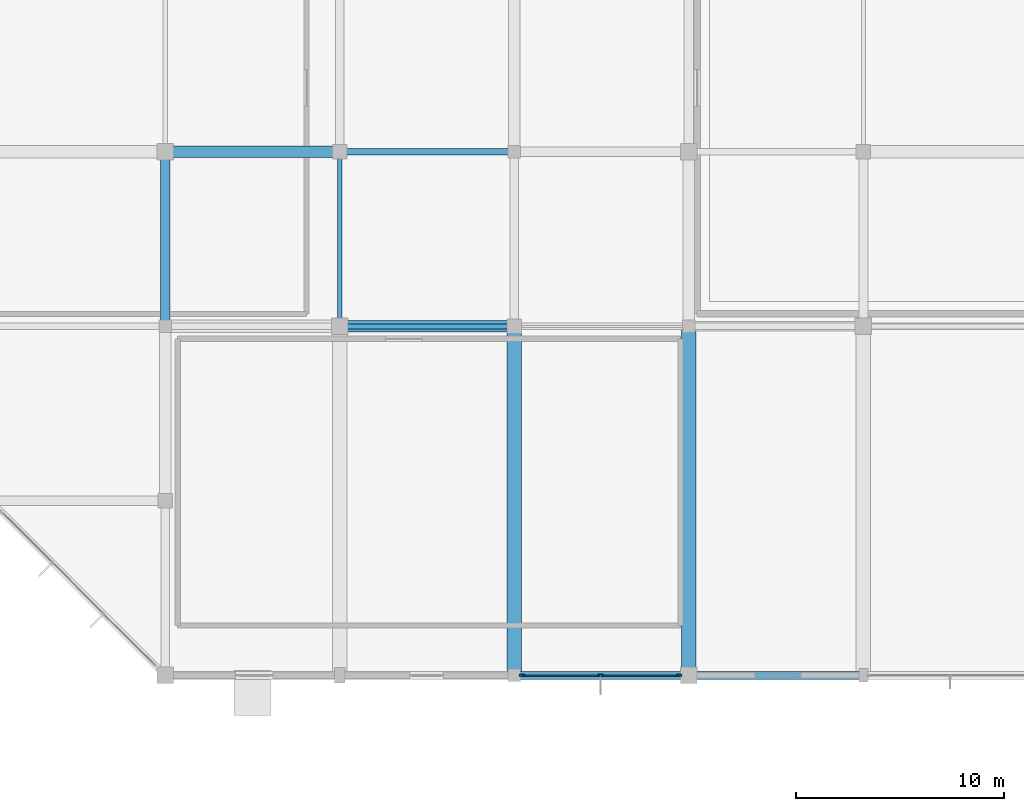
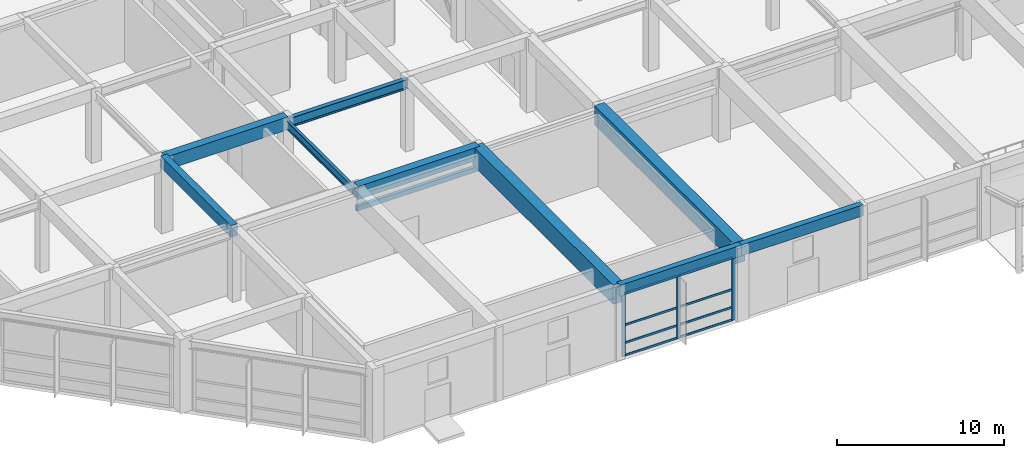
# One storey, part 10 of 62: 11 members, 10 beams, 1 element without a shape of its own.
"""IFC4 building model written with IfcOpenShell, lengths in metres."""

from ifc_helpers import new_model, si_unit, direction, frame, origin, origin_2d, place, context, subcontext, project, spatial, rectangle, i_section, extrude, material, material_profile, profile_set, type_object, element, aggregate, save


model = new_model("IFC4")

# Units and contexts
model_context = context("Model", 3, precision=1e-05, world=origin(), true_north=direction((0.0, 1.0)))
body_context = subcontext(model_context, "Body", "Model", "MODEL_VIEW")
ifc_project = project(units=[si_unit("LENGTHUNIT", "METRE"), si_unit("AREAUNIT", "SQUARE_METRE"), si_unit("VOLUMEUNIT", "CUBIC_METRE"), si_unit("PLANEANGLEUNIT", "RADIAN"), si_unit("MASSUNIT", "GRAM", prefix="KILO")], contexts=[model_context])

# Site, building, storey
site_placement = place(None, origin())
site = spatial("IfcSite", under=ifc_project, at=site_placement, CompositionType="ELEMENT")
building_placement = place(site_placement, origin())
building = spatial("IfcBuilding", under=site, at=building_placement, Name="Xuanlan Plaza Opera House", CompositionType="ELEMENT")
storey_placement = place(building_placement, origin())
storey = spatial("IfcBuildingStorey", under=building, at=storey_placement, Name="L00", CompositionType="ELEMENT", Elevation=0.0)

# Curtain wall, members
ifc_material_1 = material(Name="Anodised Aluminium 6063-T6 and Low-E Glass", Category="aluminium")
curtain_wall_type = type_object("IfcCurtainWallType", Name="ENV-CW-CW-01", PredefinedType="USERDEFINED", material=ifc_material_1)
curtain_wall_placement = place(storey_placement, origin())
curtain_wall = element("IfcCurtainWall", 1, at=curtain_wall_placement, inside=storey, type_object=curtain_wall_type, Name="Unitised Curtain Wall L00-003", ObjectType="UNITISED CURTAIN WALL", PredefinedType="USERDEFINED")
ifc_material_2 = material(Name="Anodised Aluminium 6063-T6", Category="aluminium")
ifc_material_profile_1 = material_profile(ifc_material_2, rectangle(XDim=0.090087890625, YDim=0.25, at=origin_2d()), Name="ALU-M 90x250")
ifc_profile_set_1 = profile_set([ifc_material_profile_1], Name="Anodised Aluminium 6063-T6")
member_type_1 = type_object("IfcMemberType", Name="ENV-CWM-05", PredefinedType="MULLION", material=ifc_profile_set_1)
member_1_placement = place(storey_placement, frame((33.965087890625, 0.0, 0.0), z_axis=(0.0, 0.0, 1.0), x_axis=(0.0, 1.0, 0.0)))
member_1 = element("IfcMember", 2, at=member_1_placement, type_object=member_type_1, Name="CW-01 mullion 1", PredefinedType="MULLION", context=body_context, shape_type="SweptSolid", body=[
    extrude(rectangle(XDim=0.090087890625, YDim=0.25, at=origin_2d()), origin(), (0.0, 0.0, 1.0), 4.580078125),
])
member_2_placement = place(storey_placement, frame((37.75, 0.0, 0.0), z_axis=(0.0, 0.0, 1.0), x_axis=(0.0, 1.0, 0.0)))
member_2 = element("IfcMember", 3, at=member_2_placement, type_object=member_type_1, Name="CW-01 mullion 2", PredefinedType="MULLION", context=body_context, shape_type="SweptSolid", body=[
    extrude(rectangle(XDim=0.090087890625, YDim=0.25, at=origin_2d()), origin(), (0.0, 0.0, 1.0), 4.580078125),
])
member_3_placement = place(storey_placement, frame((41.534912109375, 0.0, 0.0), z_axis=(0.0, 0.0, 1.0), x_axis=(0.0, 1.0, 0.0)))
member_3 = element("IfcMember", 4, at=member_3_placement, type_object=member_type_1, Name="CW-01 mullion 3", PredefinedType="MULLION", context=body_context, shape_type="SweptSolid", body=[
    extrude(rectangle(XDim=0.090087890625, YDim=0.25, at=origin_2d()), origin(), (0.0, 0.0, 1.0), 4.580078125),
])
ifc_material_profile_2 = material_profile(ifc_material_2, rectangle(XDim=0.074951171875, YDim=0.14990234375, at=origin_2d()), Name="ALU-T 75x150")
ifc_profile_set_2 = profile_set([ifc_material_profile_2], Name="Anodised Aluminium 6063-T6")
member_type_2 = type_object("IfcMemberType", Name="ENV-CWT-03", PredefinedType="USERDEFINED", material=ifc_profile_set_2)
member_4_placement = place(storey_placement, frame((34.010009765625, 0.0, 0.03759765625), z_axis=(1.0, 0.0, 0.0), x_axis=(0.0, 1.0, 0.0)))
member_4 = element("IfcMember", 5, at=member_4_placement, type_object=member_type_2, Name="CW-01 transom 1.1", ObjectType="TRANSOM", PredefinedType="USERDEFINED", context=body_context, shape_type="SweptSolid", body=[
    extrude(rectangle(XDim=0.074951171875, YDim=0.14990234375, at=origin_2d()), origin(), (0.0, 0.0, 1.0), 3.695068359375),
])
member_5_placement = place(storey_placement, frame((34.010009765625, 0.0, 0.949951171875), z_axis=(1.0, 0.0, 0.0), x_axis=(0.0, 1.0, 0.0)))
member_5 = element("IfcMember", 6, at=member_5_placement, type_object=member_type_2, Name="CW-01 transom 1.2", ObjectType="TRANSOM", PredefinedType="USERDEFINED", context=body_context, shape_type="SweptSolid", body=[
    extrude(rectangle(XDim=0.074951171875, YDim=0.14990234375, at=origin_2d()), origin(), (0.0, 0.0, 1.0), 3.695068359375),
])
member_6_placement = place(storey_placement, frame((34.010009765625, 0.0, 2.25), z_axis=(1.0, 0.0, 0.0), x_axis=(0.0, 1.0, 0.0)))
member_6 = element("IfcMember", 7, at=member_6_placement, type_object=member_type_2, Name="CW-01 transom 1.3", ObjectType="TRANSOM", PredefinedType="USERDEFINED", context=body_context, shape_type="SweptSolid", body=[
    extrude(rectangle(XDim=0.074951171875, YDim=0.14990234375, at=origin_2d()), origin(), (0.0, 0.0, 1.0), 3.695068359375),
])
member_7_placement = place(storey_placement, frame((34.010009765625, 0.0, 4.54248046875), z_axis=(1.0, 0.0, 0.0), x_axis=(0.0, 1.0, 0.0)))
member_7 = element("IfcMember", 8, at=member_7_placement, type_object=member_type_2, Name="CW-01 transom 1.4", ObjectType="TRANSOM", PredefinedType="USERDEFINED", context=body_context, shape_type="SweptSolid", body=[
    extrude(rectangle(XDim=0.074951171875, YDim=0.14990234375, at=origin_2d()), origin(), (0.0, 0.0, 1.0), 3.695068359375),
])
member_8_placement = place(storey_placement, frame((37.794921875, 0.0, 0.03759765625), z_axis=(1.0, 0.0, 0.0), x_axis=(0.0, 1.0, 0.0)))
member_8 = element("IfcMember", 9, at=member_8_placement, type_object=member_type_2, Name="CW-01 transom 2.1", ObjectType="TRANSOM", PredefinedType="USERDEFINED", context=body_context, shape_type="SweptSolid", body=[
    extrude(rectangle(XDim=0.074951171875, YDim=0.14990234375, at=origin_2d()), origin(), (0.0, 0.0, 1.0), 3.695068359375),
])
member_9_placement = place(storey_placement, frame((37.794921875, 0.0, 0.949951171875), z_axis=(1.0, 0.0, 0.0), x_axis=(0.0, 1.0, 0.0)))
member_9 = element("IfcMember", 10, at=member_9_placement, type_object=member_type_2, Name="CW-01 transom 2.2", ObjectType="TRANSOM", PredefinedType="USERDEFINED", context=body_context, shape_type="SweptSolid", body=[
    extrude(rectangle(XDim=0.074951171875, YDim=0.14990234375, at=origin_2d()), origin(), (0.0, 0.0, 1.0), 3.695068359375),
])
member_10_placement = place(storey_placement, frame((37.794921875, 0.0, 2.25), z_axis=(1.0, 0.0, 0.0), x_axis=(0.0, 1.0, 0.0)))
member_10 = element("IfcMember", 11, at=member_10_placement, type_object=member_type_2, Name="CW-01 transom 2.3", ObjectType="TRANSOM", PredefinedType="USERDEFINED", context=body_context, shape_type="SweptSolid", body=[
    extrude(rectangle(XDim=0.074951171875, YDim=0.14990234375, at=origin_2d()), origin(), (0.0, 0.0, 1.0), 3.695068359375),
])
member_11_placement = place(storey_placement, frame((37.794921875, 0.0, 4.54248046875), z_axis=(1.0, 0.0, 0.0), x_axis=(0.0, 1.0, 0.0)))
member_11 = element("IfcMember", 12, at=member_11_placement, type_object=member_type_2, Name="CW-01 transom 2.4", ObjectType="TRANSOM", PredefinedType="USERDEFINED", context=body_context, shape_type="SweptSolid", body=[
    extrude(rectangle(XDim=0.074951171875, YDim=0.14990234375, at=origin_2d()), origin(), (0.0, 0.0, 1.0), 3.695068359375),
])
aggregate(curtain_wall, [member_1, member_2, member_3, member_4, member_5, member_6, member_7, member_8, member_9, member_10, member_11])

# Beams
ifc_material_3 = material(Name="Concrete C50", Category="concrete")
ifc_material_profile_3 = material_profile(ifc_material_3, rectangle(XDim=0.550048828125, YDim=0.949951171875, at=origin_2d()), Name="RC-BM 550x950")
ifc_profile_set_3 = profile_set([ifc_material_profile_3], Name="Concrete C50")
beam_type_1 = type_object("IfcBeamType", Name="STR-BM-B-02", PredefinedType="BEAM", material=ifc_profile_set_3)
beam_1_placement = place(storey_placement, frame((25.199951171875, 16.800048828125, 4.925048828125), z_axis=(1.0, 0.0, 0.0), x_axis=(0.0, 1.0, 0.0)))
element("IfcBeam", 13, at=beam_1_placement, inside=storey, type_object=beam_type_1, Name="Grid Beam X L00 4-5/C", PredefinedType="BEAM", context=body_context, shape_type="SweptSolid", body=[
    extrude(rectangle(XDim=0.550048828125, YDim=0.949951171875, at=origin_2d()), origin(), (0.0, 0.0, 1.0), 8.400146484375),
])
beam_2_placement = place(storey_placement, frame((16.800048828125, 25.199951171875, 4.925048828125), z_axis=(1.0, 0.0, 0.0), x_axis=(0.0, 1.0, 0.0)))
element("IfcBeam", 14, at=beam_2_placement, inside=storey, type_object=beam_type_1, Name="Grid Beam X L00 3-4/D", PredefinedType="BEAM", context=body_context, shape_type="SweptSolid", body=[
    extrude(rectangle(XDim=0.550048828125, YDim=0.949951171875, at=origin_2d()), origin(), (0.0, 0.0, 1.0), 8.39990234375),
])
ifc_material_4 = material(Name="Concrete C40", Category="concrete")
ifc_material_profile_4 = material_profile(ifc_material_4, rectangle(XDim=0.449951171875, YDim=0.85009765625, at=origin_2d()), Name="RC-BM 450x850")
ifc_profile_set_4 = profile_set([ifc_material_profile_4], Name="Concrete C40")
beam_type_2 = type_object("IfcBeamType", Name="STR-BM-B-04", PredefinedType="BEAM", material=ifc_profile_set_4)
beam_3_placement = place(storey_placement, frame((16.800048828125, 16.800048828125, 4.97509765625), z_axis=(0.0, 1.0, 0.0), x_axis=(-1.0, 0.0, 0.0)))
element("IfcBeam", 15, at=beam_3_placement, inside=storey, type_object=beam_type_2, Name="Grid Beam Y L00 3/C-D", PredefinedType="BEAM", context=body_context, shape_type="SweptSolid", body=[
    extrude(rectangle(XDim=0.449951171875, YDim=0.85009765625, at=origin_2d()), origin(), (0.0, 0.0, 1.0), 8.39990234375),
])
ifc_material_profile_5 = material_profile(ifc_material_3, rectangle(XDim=0.699951171875, YDim=1.39990234375, at=origin_2d()), Name="RC-LG 700x1400")
ifc_profile_set_5 = profile_set([ifc_material_profile_5], Name="Concrete C50")
beam_type_3 = type_object("IfcBeamType", Name="STR-BM-LG-01", PredefinedType="BEAM", material=ifc_profile_set_5)
for number, where, z_axis, x_axis, name in (
    (16, (33.60009765625, 0.0, 4.699951171875), (0.0, 1.0, 0.0), (-1.0, 0.0, 0.0), "Grid Beam Y L00 5/A-C"),
    (17, (42.0, 0.0, 4.699951171875), (0.0, 1.0, 0.0), (-1.0, 0.0, 0.0), "Grid Beam Y L00 6/A-C"),
):
    element("IfcBeam", number, at=place(storey_placement, frame(where, z_axis=z_axis, x_axis=x_axis)), inside=storey, type_object=beam_type_3, Name=name, PredefinedType="BEAM", context=body_context, shape_type="SweptSolid", body=[
        extrude(rectangle(XDim=0.699951171875, YDim=1.39990234375, at=origin_2d()), origin(), (0.0, 0.0, 1.0), 16.800048828125),
    ])
ifc_material_profile_6 = material_profile(ifc_material_4, rectangle(XDim=0.239990234375, YDim=0.35009765625, at=origin_2d()), Name="RC-LNT 240x350")
ifc_profile_set_6 = profile_set([ifc_material_profile_6], Name="Concrete C40")
beam_type_4 = type_object("IfcBeamType", Name="STR-BM-LN-02", PredefinedType="LINTEL", material=ifc_profile_set_6)
beam_4_placement = place(storey_placement, frame((25.199951171875, 16.800048828125, 3.675048828125), z_axis=(1.0, 0.0, 0.0), x_axis=(0.0, 1.0, 0.0)))
element("IfcBeam", 18, at=beam_4_placement, inside=storey, type_object=beam_type_4, Name="Backstage Portal Lintel Beam L00-03", PredefinedType="LINTEL", context=body_context, shape_type="SweptSolid", body=[
    extrude(rectangle(XDim=0.239990234375, YDim=0.35009765625, at=origin_2d()), origin(), (0.0, 0.0, 1.0), 8.400146484375),
])
ifc_material_5 = material(Name="Steel Q355B", Category="steel")
ifc_material_profile_7 = material_profile(ifc_material_5, i_section(OverallWidth=0.300048828125, OverallDepth=0.699951171875, WebThickness=0.012939453125, FlangeThickness=0.02392578125, FilletRadius=0.02392578125, at=origin_2d()), Name="HN 700x300x13x24")
ifc_profile_set_7 = profile_set([ifc_material_profile_7], Name="Steel Q355B")
beam_type_5 = type_object("IfcBeamType", Name="STR-BM-SB-03", PredefinedType="BEAM", material=ifc_profile_set_7)
beam_5_placement = place(storey_placement, frame((25.199951171875, 25.199951171875, 4.784912109375), z_axis=(1.0, 0.0, 0.0), x_axis=(0.0, 1.0, 0.0)))
element("IfcBeam", 19, at=beam_5_placement, inside=storey, type_object=beam_type_5, Name="Grid Beam X L00 4-5/D", PredefinedType="BEAM", context=body_context, shape_type="SweptSolid", body=[
    extrude(i_section(OverallWidth=0.300048828125, OverallDepth=0.699951171875, WebThickness=0.012939453125, FlangeThickness=0.02392578125, FilletRadius=0.02392578125, at=origin_2d()), origin(), (0.0, 0.0, 1.0), 8.400146484375),
])
ifc_material_profile_8 = material_profile(ifc_material_5, i_section(OverallWidth=0.199951171875, OverallDepth=0.60009765625, WebThickness=0.010986328125, FlangeThickness=0.01708984375, FilletRadius=0.02197265625, at=origin_2d()), Name="HN 600x200x11x17")
ifc_profile_set_8 = profile_set([ifc_material_profile_8], Name="Steel Q355B")
beam_type_6 = type_object("IfcBeamType", Name="STR-BM-SB-04", PredefinedType="BEAM", material=ifc_profile_set_8)
beam_6_placement = place(storey_placement, frame((25.199951171875, 16.800048828125, 4.8349609375), z_axis=(0.0, 1.0, 0.0), x_axis=(-1.0, 0.0, 0.0)))
element("IfcBeam", 20, at=beam_6_placement, inside=storey, type_object=beam_type_6, Name="Grid Beam Y L00 4/C-D", PredefinedType="BEAM", context=body_context, shape_type="SweptSolid", body=[
    extrude(i_section(OverallWidth=0.199951171875, OverallDepth=0.60009765625, WebThickness=0.010986328125, FlangeThickness=0.01708984375, FilletRadius=0.02197265625, at=origin_2d()), origin(), (0.0, 0.0, 1.0), 8.39990234375),
])
ifc_material_profile_9 = material_profile(ifc_material_4, rectangle(XDim=0.39990234375, YDim=0.800048828125, at=origin_2d()), Name="RC-SPD 400x800")
ifc_profile_set_9 = profile_set([ifc_material_profile_9], Name="Concrete C40")
beam_type_7 = type_object("IfcBeamType", Name="STR-BM-SP-01", PredefinedType="SPANDREL", material=ifc_profile_set_9)
for number, where, z_axis, x_axis, name in (
    (21, (33.60009765625, 0.0, 5.0), (1.0, 0.0, 0.0), (0.0, 1.0, 0.0), "Grid Beam X L00 5-6/A"),
    (22, (42.0, 0.0, 5.0), (1.0, 0.0, 0.0), (0.0, 1.0, 0.0), "Grid Beam X L00 6-7/A"),
):
    element("IfcBeam", number, at=place(storey_placement, frame(where, z_axis=z_axis, x_axis=x_axis)), inside=storey, type_object=beam_type_7, Name=name, PredefinedType="SPANDREL", context=body_context, shape_type="SweptSolid", body=[
        extrude(rectangle(XDim=0.39990234375, YDim=0.800048828125, at=origin_2d()), origin(), (0.0, 0.0, 1.0), 8.39990234375),
    ])

save(model, "model.ifc")
